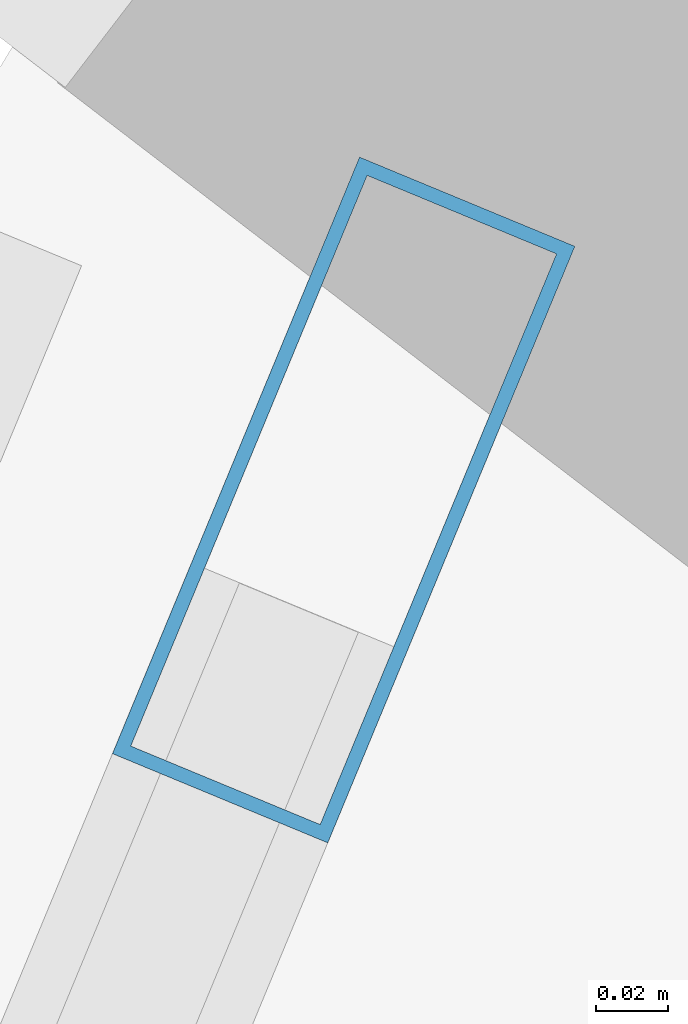
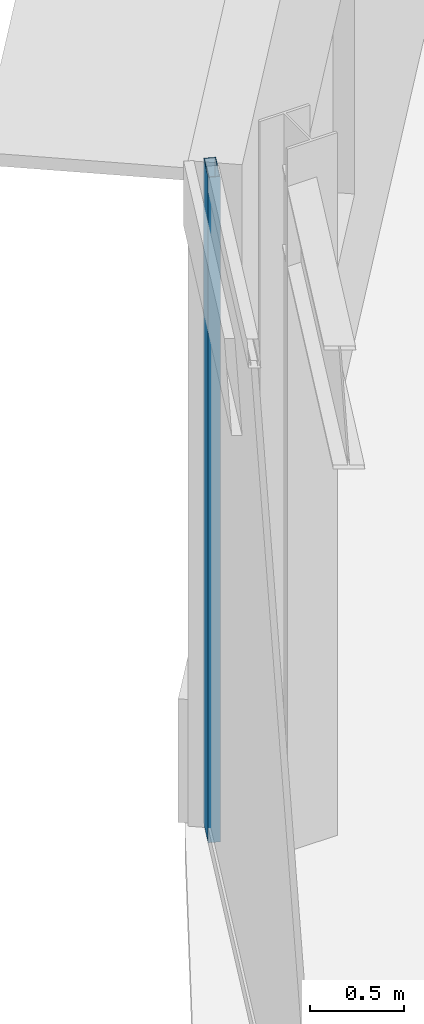
# One storey, part 28 of 89: 1 member, 1 element without a shape of its own.
"""IFC4 building model written with IfcOpenShell, lengths in metres."""

from ifc_helpers import new_model, si_unit, direction, frame, origin, origin_2d, place, context, subcontext, project, spatial, hollow_rectangle, extrude, material, material_profile, profile_set, type_object, element, aggregate, save


model = new_model("IFC4")

# Units and contexts
model_context = context("Model", 3, precision=1e-05, world=origin(), true_north=direction((0.0, 1.0)))
body_context = subcontext(model_context, "Body", "Model", "MODEL_VIEW")
ifc_project = project(units=[si_unit("LENGTHUNIT", "METRE"), si_unit("AREAUNIT", "SQUARE_METRE"), si_unit("VOLUMEUNIT", "CUBIC_METRE"), si_unit("PLANEANGLEUNIT", "RADIAN"), si_unit("MASSUNIT", "GRAM", prefix="KILO")], contexts=[model_context])

# Site, building, storey
site_placement = place(None, origin())
site = spatial("IfcSite", under=ifc_project, at=site_placement, CompositionType="ELEMENT")
building_placement = place(site_placement, origin())
building = spatial("IfcBuilding", under=site, at=building_placement, Name="Almandine Court Research Institute", CompositionType="ELEMENT")
storey_placement = place(building_placement, frame((0.0, 0.0, 18.89990234375)))
storey = spatial("IfcBuildingStorey", under=building, at=storey_placement, Name="L04", CompositionType="ELEMENT", Elevation=18.89990234375)

# Curtain wall, member
ifc_material_1 = material(Name="Unitised Curtain Wall Framing and Solar Glazing", Category="glass")
curtain_wall_type = type_object("IfcCurtainWallType", Name="CW-CWJ-21", PredefinedType="USERDEFINED", material=ifc_material_1)
curtain_wall_placement = place(storey_placement, origin())
curtain_wall = element("IfcCurtainWall", 1, at=curtain_wall_placement, inside=storey, type_object=curtain_wall_type, Name="L04 Stacked-Ring Drum Outer Solar Jali Screen 10", ObjectType="SOLAR JALI SCREEN", PredefinedType="USERDEFINED")
ifc_material_2 = material(Name="Anodised Aluminium AW-6063-T6", Category="aluminium")
ifc_material_profile = material_profile(ifc_material_2, hollow_rectangle(XDim=0.06494140625, YDim=0.179931640625, WallThickness=0.00390625, at=origin_2d()), Name="ALU RHS 65x180x4")
ifc_profile_set = profile_set([ifc_material_profile], Name="Anodised Aluminium AW-6063-T6")
member_type = type_object("IfcMemberType", Name="CWMul-65x180", PredefinedType="MULLION", material=ifc_profile_set)
member_placement = place(storey_placement, frame((44.238525390625, 80.64697265625, 0.0), z_axis=(0.0, 0.0, 1.0), x_axis=(-0.923888124321, 0.382662689242, 0.0)))
member = element("IfcMember", 2, at=member_placement, type_object=member_type, Name="CWJ-21 mullion 4", PredefinedType="MULLION", context=body_context, shape_type="SweptSolid", body=[
    extrude(hollow_rectangle(XDim=0.06494140625, YDim=0.179931640625, WallThickness=0.00390625, at=origin_2d()), origin(), (0.0, 0.0, 1.0), 4.31005859375),
])
aggregate(curtain_wall, [member])

save(model, "model.ifc")
